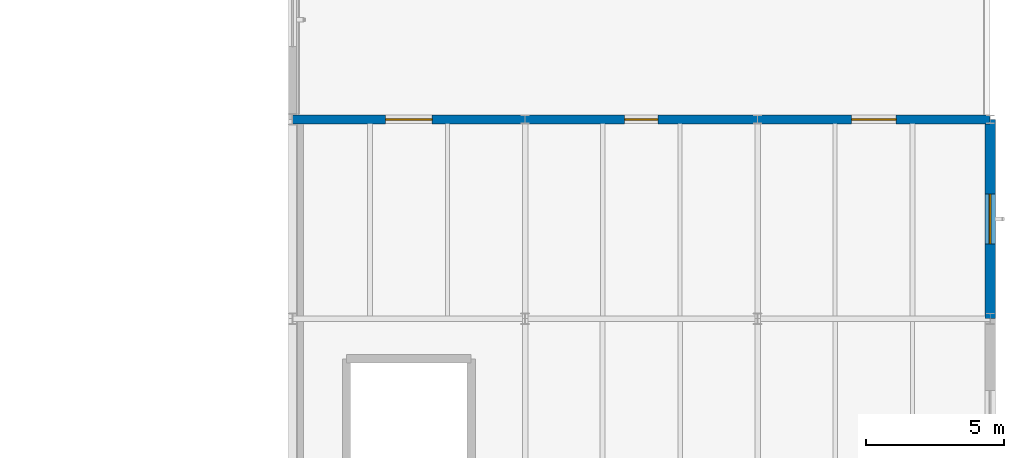
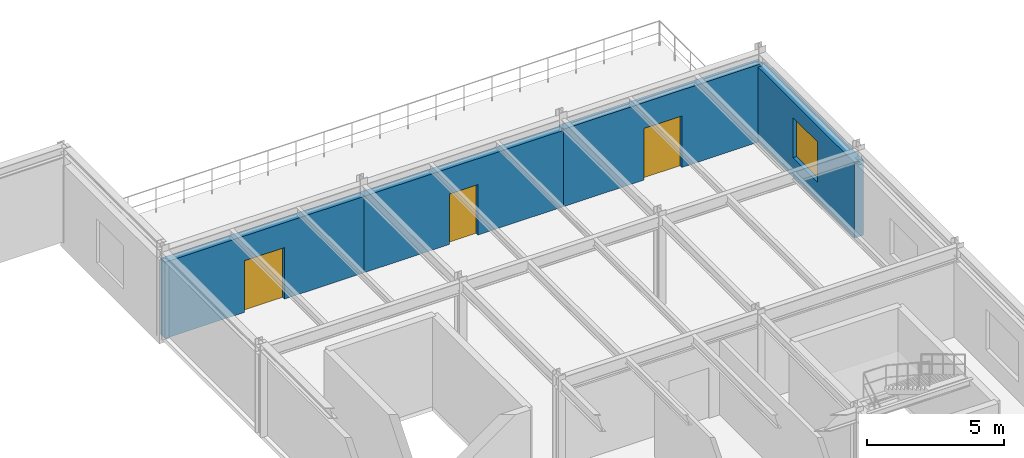
# One storey, part 70 of 109: 4 walls, 3 doors, 1 window, 4 openings.
"""IFC4 building model written with IfcOpenShell, lengths in metres."""

from ifc_helpers import new_model, si_unit, derived_unit, direction, frame, frame_2d, origin, place, context, subcontext, project, spatial, rectangle, extrude, material, layer, layer_set, type_object, element, fill, save


model = new_model("IFC4")

# Units and contexts
model_context = context("Model", 3, precision=1e-05, world=origin(), true_north=direction((0.0, 1.0)))
body_context = subcontext(model_context, "Body", "Model", "MODEL_VIEW")
ifc_project = project(units=[si_unit("LENGTHUNIT", "METRE"), si_unit("AREAUNIT", "SQUARE_METRE"), si_unit("VOLUMEUNIT", "CUBIC_METRE"), si_unit("PLANEANGLEUNIT", "RADIAN"), si_unit("MASSUNIT", "GRAM", prefix="KILO"), derived_unit("THERMALTRANSMITTANCEUNIT", [(si_unit("MASSUNIT", "GRAM", prefix="KILO"), 1), (si_unit("TIMEUNIT", "SECOND"), -3), (si_unit("THERMODYNAMICTEMPERATUREUNIT", "KELVIN"), -1)])], contexts=[model_context])

# Site, building, storey
site_placement = place(None, origin())
site = spatial("IfcSite", under=ifc_project, at=site_placement, CompositionType="ELEMENT")
building_placement = place(site_placement, origin())
building = spatial("IfcBuilding", under=site, at=building_placement, Name="Kharveza Railside Sports Centre", CompositionType="ELEMENT")
storey_placement = place(building_placement, frame((0.0, 0.0, 4.5)))
storey = spatial("IfcBuildingStorey", under=building, at=storey_placement, Name="L01", CompositionType="ELEMENT", Elevation=4.5)

# Wall, opening, window
ifc_material_1 = material(Name="Precast concrete C40/50", Category="concrete")
ifc_layer_1 = layer(ifc_material_1, 0.3798828125, Name="Precast concrete C40/50")
ifc_layer_set_1 = layer_set([ifc_layer_1], Name="Precast concrete C40/50")
wall_type_1 = type_object("IfcWallType", Name="WL-BM380", PredefinedType="SOLIDWALL", material=ifc_layer_set_1)
wall_1_placement = place(storey_placement, frame((168.0, 93.60009765625, 0.0), z_axis=(0.0, 0.0, 1.0), x_axis=(0.0, 1.0, 0.0)))
wall_1 = element("IfcWall", 1, at=wall_1_placement, inside=storey, type_object=wall_type_1, Name="WL-EXT-L01-107", PredefinedType="SOLIDWALL", context=body_context, shape_type="SweptSolid", body=[
    extrude(rectangle(XDim=7.199951171875, YDim=0.3798828125, at=frame_2d((3.60009765625, 0.0))), origin(), (0.0, 0.0, 1.0), 3.35498046875),
])
opening_1_placement = place(wall_1_placement, frame((2.699951171875, 0.0, 0.85009765625)))
opening_1 = element("IfcOpeningElement", 2, at=opening_1_placement, cuts=wall_1, Name="Opening WN05", PredefinedType="OPENING", context=body_context, shape_type="SweptSolid", body=[
    extrude(rectangle(XDim=1.800048828125, YDim=1.800048828125, at=frame_2d((0.89990234375, 0.89990234375))), frame((0.0, 0.21484375, 0.0), z_axis=(0.0, -1.0, 0.0), x_axis=(1.0, 0.0, 0.0)), (0.0, 0.0, 1.0), 0.4296875),
])
ifc_material_2 = material(Name="Low-E solar-control laminated glass", Category="glass")
window_type = type_object("IfcWindowType", Name="WN-F05", PartitioningType="SINGLE_PANEL", PredefinedType="WINDOW", material=ifc_material_2)
window_placement = place(opening_1_placement, origin())
window = element("IfcWindow", 3, at=window_placement, inside=storey, type_object=window_type, Name="WN-EXT-L01-048", OverallHeight=1.800048828125, OverallWidth=1.800048828125, PartitioningType="SINGLE_PANEL", PredefinedType="WINDOW", context=body_context, shape_type="SweptSolid", body=[
    extrude(rectangle(XDim=1.800048828125, YDim=1.800048828125, at=frame_2d((0.89990234375, 0.89990234375))), frame((0.0, 0.030029296875, 0.0), z_axis=(0.0, -1.0, 0.0), x_axis=(1.0, 0.0, 0.0)), (0.0, 0.0, 1.0), 0.06005859375),
])
fill(opening_1, window)

# Wall, opening, door
ifc_layer_2 = layer(ifc_material_1, 0.320068359375, Name="Precast concrete C40/50")
ifc_layer_set_2 = layer_set([ifc_layer_2], Name="Precast concrete C40/50")
wall_type_2 = type_object("IfcWallType", Name="WL-EX320", PredefinedType="STANDARD", material=ifc_layer_set_2)
wall_2_placement = place(storey_placement, frame((168.0, 100.800048828125, 0.0), z_axis=(0.0, 0.0, 1.0), x_axis=(-1.0, 0.0, 0.0)))
wall_2 = element("IfcWall", 4, at=wall_2_placement, inside=storey, type_object=wall_type_2, Name="WL-EXT-L01-108", PredefinedType="STANDARD", context=body_context, shape_type="SweptSolid", body=[
    extrude(rectangle(XDim=8.39990234375, YDim=0.320068359375, at=frame_2d((4.199951171875, 0.0))), origin(), (0.0, 0.0, 1.0), 3.455078125),
])
opening_2_placement = place(wall_2_placement, frame((3.39990234375, 0.0, 0.0)))
opening_2 = element("IfcOpeningElement", 5, at=opening_2_placement, cuts=wall_2, Name="Opening D04", PredefinedType="OPENING", context=body_context, shape_type="SweptSolid", body=[
    extrude(rectangle(XDim=1.60009765625, YDim=2.300048828125, at=frame_2d((0.800048828125, 1.14990234375))), frame((0.0, 0.18505859375, 0.0), z_axis=(0.0, -1.0, 0.0), x_axis=(1.0, 0.0, 0.0)), (0.0, 0.0, 1.0), 0.369873046875),
])
ifc_material_3 = material(Name="Anodised aluminium 6063-T6", Category="aluminium")
door_type_1 = type_object("IfcDoorType", Name="DR-EX04", OperationType="NOTDEFINED", PredefinedType="DOOR", material=ifc_material_3)
door_1_placement = place(opening_2_placement, frame((1.60009765625, 0.0, 0.0), z_axis=(0.0, 0.0, 1.0), x_axis=(-1.0, 0.0, 0.0)))
door_1 = element("IfcDoor", 6, at=door_1_placement, inside=storey, type_object=door_type_1, Name="DR-TERR-L01-027", OperationType="DOUBLE_DOOR_SINGLE_SWING", OverallHeight=2.300048828125, OverallWidth=1.60009765625, PredefinedType="DOOR", context=body_context, shape_type="SweptSolid", body=[
    extrude(rectangle(XDim=1.60009765625, YDim=2.300048828125, at=frame_2d((0.800048828125, 1.14990234375))), frame((0.0, 0.02490234375, 0.0), z_axis=(0.0, -1.0, 0.0), x_axis=(1.0, 0.0, 0.0)), (0.0, 0.0, 1.0), 0.050048828125),
])
fill(opening_2, door_1)

wall_3_placement = place(storey_placement, frame((159.60009765625, 100.800048828125, 0.0), z_axis=(0.0, 0.0, 1.0), x_axis=(-1.0, 0.0, 0.0)))
wall_3 = element("IfcWall", 7, at=wall_3_placement, inside=storey, type_object=wall_type_2, Name="WL-EXT-L01-109", PredefinedType="STANDARD", context=body_context, shape_type="SweptSolid", body=[
    extrude(rectangle(XDim=8.400146484375, YDim=0.320068359375, at=frame_2d((4.2001953125, 0.0))), origin(), (0.0, 0.0, 1.0), 3.405029296875),
])
opening_3_placement = place(wall_3_placement, frame((3.60009765625, 0.0, 0.0)))
opening_3 = element("IfcOpeningElement", 8, at=opening_3_placement, cuts=wall_3, Name="Opening D05", PredefinedType="OPENING", context=body_context, shape_type="SweptSolid", body=[
    extrude(rectangle(XDim=1.199951171875, YDim=2.25, at=frame_2d((0.60009765625, 1.125))), frame((0.0, 0.18505859375, 0.0), z_axis=(0.0, -1.0, 0.0), x_axis=(1.0, 0.0, 0.0)), (0.0, 0.0, 1.0), 0.369873046875),
])
door_type_2 = type_object("IfcDoorType", Name="DR-EX05", OperationType="NOTDEFINED", PredefinedType="DOOR", material=ifc_material_3)
door_2_placement = place(opening_3_placement, frame((1.199951171875, 0.0, 0.0), z_axis=(0.0, 0.0, 1.0), x_axis=(-1.0, 0.0, 0.0)))
door_2 = element("IfcDoor", 9, at=door_2_placement, inside=storey, type_object=door_type_2, Name="DR-TERR-L01-028", OperationType="SINGLE_SWING_RIGHT", OverallHeight=2.25, OverallWidth=1.199951171875, PredefinedType="DOOR", context=body_context, shape_type="SweptSolid", body=[
    extrude(rectangle(XDim=1.199951171875, YDim=2.25, at=frame_2d((0.60009765625, 1.125))), frame((0.0, 0.02490234375, 0.0), z_axis=(0.0, -1.0, 0.0), x_axis=(1.0, 0.0, 0.0)), (0.0, 0.0, 1.0), 0.050048828125),
])
fill(opening_3, door_2)

wall_4_placement = place(storey_placement, frame((151.199951171875, 100.800048828125, 0.0), z_axis=(0.0, 0.0, 1.0), x_axis=(-1.0, 0.0, 0.0)))
wall_4 = element("IfcWall", 10, at=wall_4_placement, inside=storey, type_object=wall_type_2, Name="WL-EXT-L01-110", PredefinedType="STANDARD", context=body_context, shape_type="SweptSolid", body=[
    extrude(rectangle(XDim=8.39990234375, YDim=0.320068359375, at=frame_2d((4.199951171875, 0.0))), origin(), (0.0, 0.0, 1.0), 3.405029296875),
])
opening_4_placement = place(wall_4_placement, frame((3.360107421875, 0.0, 0.0)))
opening_4 = element("IfcOpeningElement", 11, at=opening_4_placement, cuts=wall_4, Name="Opening D33", PredefinedType="OPENING", context=body_context, shape_type="SweptSolid", body=[
    extrude(rectangle(XDim=1.679931640625, YDim=2.300048828125, at=frame_2d((0.83984375, 1.14990234375))), frame((0.0, 0.18505859375, 0.0), z_axis=(0.0, -1.0, 0.0), x_axis=(1.0, 0.0, 0.0)), (0.0, 0.0, 1.0), 0.369873046875),
])
door_type_3 = type_object("IfcDoorType", Name="DR-Z09", OperationType="NOTDEFINED", PredefinedType="DOOR", material=ifc_material_3)
door_3_placement = place(opening_4_placement, frame((1.679931640625, 0.0, 0.0), z_axis=(0.0, 0.0, 1.0), x_axis=(-1.0, 0.0, 0.0)))
door_3 = element("IfcDoor", 12, at=door_3_placement, inside=storey, type_object=door_type_3, Name="DR-TERR-L01-029", OperationType="SINGLE_SWING_LEFT", OverallHeight=2.300048828125, OverallWidth=1.679931640625, PredefinedType="DOOR", context=body_context, shape_type="SweptSolid", body=[
    extrude(rectangle(XDim=1.679931640625, YDim=2.300048828125, at=frame_2d((0.83984375, 1.14990234375))), frame((0.0, 0.02490234375, 0.0), z_axis=(0.0, -1.0, 0.0), x_axis=(1.0, 0.0, 0.0)), (0.0, 0.0, 1.0), 0.050048828125),
])
fill(opening_4, door_3)

save(model, "model.ifc")
